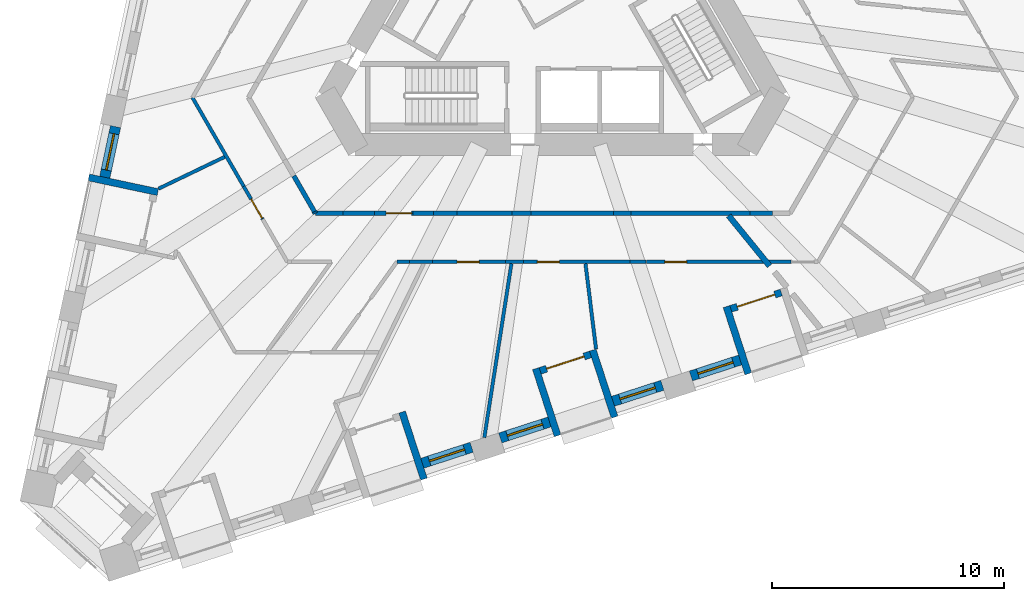
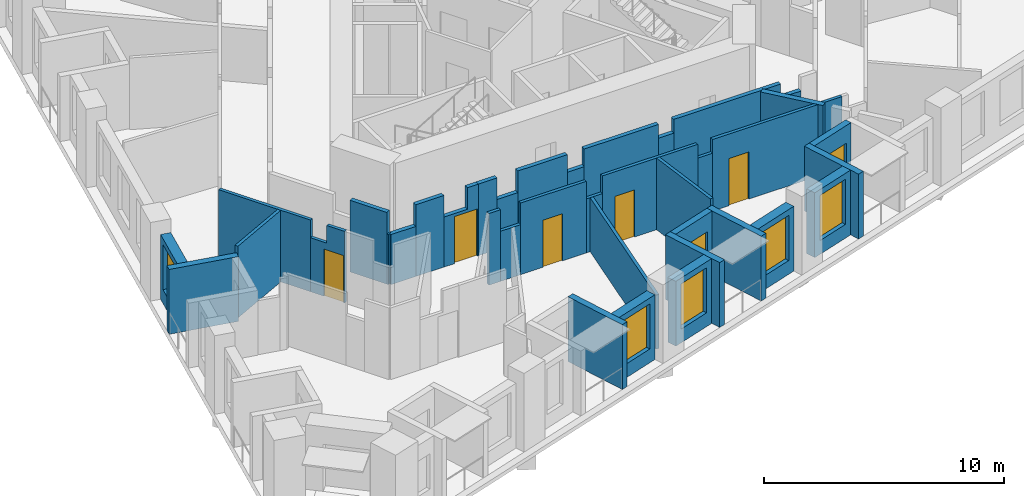
# One storey, part 3 of 13: 38 walls, 7 doors, 5 windows, 12 openings.
"""IFC4 building model written with IfcOpenShell, lengths in metres."""

from ifc_helpers import new_model, si_unit, direction, frame, frame_2d, origin, place, context, subcontext, project, spatial, polyline, rectangle, outline, extrude, material, layer, layer_set, type_object, element, fill, save


model = new_model("IFC4")

# Units and contexts
model_context = context("Model", 3, precision=1e-05, world=origin(), true_north=direction((0.0, 1.0)))
body_context = subcontext(model_context, "Body", "Model", "MODEL_VIEW")
ifc_project = project(units=[si_unit("LENGTHUNIT", "METRE"), si_unit("AREAUNIT", "SQUARE_METRE"), si_unit("VOLUMEUNIT", "CUBIC_METRE"), si_unit("PLANEANGLEUNIT", "RADIAN"), si_unit("MASSUNIT", "GRAM", prefix="KILO")], contexts=[model_context])

# Site, building, storey
site_placement = place(None, origin())
site = spatial("IfcSite", under=ifc_project, at=site_placement, CompositionType="ELEMENT")
building_placement = place(site_placement, origin())
building = spatial("IfcBuilding", under=site, at=building_placement, Name="Tramontana Tower", CompositionType="ELEMENT")
storey_placement = place(building_placement, frame((0.0, 0.0, 116.39990234375)))
storey = spatial("IfcBuildingStorey", under=building, at=storey_placement, Name="L26", CompositionType="ELEMENT", Elevation=116.39990234375)

# Walls
ifc_material_1 = material(Name="Blockwork", Category="masonry")
ifc_layer_1 = layer(ifc_material_1, 0.199951171875)
ifc_layer_set_1 = layer_set([ifc_layer_1], Name="ENTRY WALL 200")
wall_type_1 = type_object("IfcWallType", Name="ENTRY WALL 200", PredefinedType="SOLIDWALL", material=ifc_layer_set_1)
wall_1_placement = place(storey_placement, frame((9.50439453125, -9.25, 0.0), z_axis=(0.0, 0.0, 1.0), x_axis=(-1.0, 0.0, 0.0)))
element("IfcWall", 1, at=wall_1_placement, inside=storey, type_object=wall_type_1, Name="Wall v22-ew2-1", PredefinedType="SOLIDWALL", context=body_context, shape_type="SweptSolid", body=[
    extrude(rectangle(XDim=0.9775390625, YDim=0.199951171875, at=frame_2d((0.48876953125, 0.0))), origin(), (0.0, 0.0, 1.0), 2.9501953125),
])
wall_2_placement = place(storey_placement, frame((8.52685546875, -9.25, 0.0), z_axis=(0.0, 0.0, 1.0), x_axis=(-1.0, 0.0, 0.0)))
element("IfcWall", 2, at=wall_2_placement, inside=storey, type_object=wall_type_1, Name="Wall v22-ew2-2", PredefinedType="SOLIDWALL", context=body_context, shape_type="SweptSolid", body=[
    extrude(rectangle(XDim=5.1533203125, YDim=0.199951171875, at=frame_2d((2.57666015625, 0.0))), origin(), (0.0, 0.0, 1.0), 3.650146484375),
])
wall_3_placement = place(storey_placement, frame((3.37353515625, -9.25, 0.0), z_axis=(0.0, 0.0, 1.0), x_axis=(-1.0, 0.0, 0.0)))
element("IfcWall", 3, at=wall_3_placement, inside=storey, type_object=wall_type_1, Name="Wall v22-ew2-3", PredefinedType="SOLIDWALL", context=body_context, shape_type="SweptSolid", body=[
    extrude(rectangle(XDim=0.736083984375, YDim=0.199951171875, at=frame_2d((0.3681640625, 0.0))), origin(), (0.0, 0.0, 1.0), 2.9501953125),
])
wall_4_placement = place(storey_placement, frame((2.637451171875, -9.25, 0.0), z_axis=(0.0, 0.0, 1.0), x_axis=(-1.0, 0.0, 0.0)))
element("IfcWall", 4, at=wall_4_placement, inside=storey, type_object=wall_type_1, Name="Wall v22-ew2-4", PredefinedType="SOLIDWALL", context=body_context, shape_type="SweptSolid", body=[
    extrude(rectangle(XDim=3.576904296875, YDim=0.199951171875, at=frame_2d((1.78857421875, 0.0))), origin(), (0.0, 0.0, 1.0), 3.650146484375),
])
wall_5_placement = place(storey_placement, frame((-0.939453125, -9.25, 0.0), z_axis=(0.0, 0.0, 1.0), x_axis=(-1.0, 0.0, 0.0)))
element("IfcWall", 5, at=wall_5_placement, inside=storey, type_object=wall_type_1, Name="Wall v22-ew2-5", PredefinedType="SOLIDWALL", context=body_context, shape_type="SweptSolid", body=[
    extrude(rectangle(XDim=0.808349609375, YDim=0.199951171875, at=frame_2d((0.404296875, 0.0))), origin(), (0.0, 0.0, 1.0), 2.75),
])
wall_6_placement = place(storey_placement, frame((-1.747802734375, -9.25, 0.0), z_axis=(0.0, 0.0, 1.0), x_axis=(-1.0, 0.0, 0.0)))
element("IfcWall", 6, at=wall_6_placement, inside=storey, type_object=wall_type_1, Name="Wall v22-ew2-6", PredefinedType="SOLIDWALL", context=body_context, shape_type="SweptSolid", body=[
    extrude(rectangle(XDim=2.385498046875, YDim=0.199951171875, at=frame_2d((1.19287109375, 0.0))), origin(), (0.0, 0.0, 1.0), 3.650146484375),
])
wall_7_placement = place(storey_placement, frame((-4.13330078125, -9.25, 0.0), z_axis=(0.0, 0.0, 1.0), x_axis=(-1.0, 0.0, 0.0)))
element("IfcWall", 7, at=wall_7_placement, inside=storey, type_object=wall_type_1, Name="Wall v22-ew2-7", PredefinedType="SOLIDWALL", context=body_context, shape_type="SweptSolid", body=[
    extrude(rectangle(XDim=1.0068359375, YDim=0.199951171875, at=frame_2d((0.50341796875, 0.0))), origin(), (0.0, 0.0, 1.0), 2.550048828125),
])
wall_8_placement = place(storey_placement, frame((-5.14013671875, -9.25, 0.0), z_axis=(0.0, 0.0, 1.0), x_axis=(-1.0, 0.0, 0.0)))
element("IfcWall", 8, at=wall_8_placement, inside=storey, type_object=wall_type_1, Name="Wall v22-ew2-8", PredefinedType="SOLIDWALL", context=body_context, shape_type="SweptSolid", body=[
    extrude(rectangle(XDim=0.89990234375, YDim=0.199951171875, at=frame_2d((0.449951171875, 0.0))), origin(), (0.0, 0.0, 1.0), 3.650146484375),
])

# Wall, opening, door
wall_9_placement = place(storey_placement, frame((-7.695556640625, -9.25, 0.0), z_axis=(0.0, 0.0, 1.0), x_axis=(1.0, 0.0, 0.0)))
wall_9 = element("IfcWall", 9, at=wall_9_placement, inside=storey, type_object=wall_type_1, Name="Wall v22-ew2-9", PredefinedType="SOLIDWALL", context=body_context, shape_type="SweptSolid", body=[
    extrude(outline(polyline([(0.0, 0.0), (1.655517578125, 0.0), (1.655517578125, 3.650146484375), (1.13623046875, 3.650146484375), (1.13623046875, 2.550048828125), (0.0, 2.550048828125), (0.0, 0.0)])), frame((0.0, 0.10009765625, 0.0), z_axis=(0.0, -1.0, 0.0), x_axis=(1.0, 0.0, 0.0)), (0.0, 0.0, 1.0), 0.199951171875),
])
opening_1_placement = place(wall_9_placement, frame((0.50537109375, 0.0, 0.0)))
opening_1 = element("IfcOpeningElement", 10, at=opening_1_placement, cuts=wall_9, Name="Opening B2C-23", PredefinedType="OPENING", context=body_context, shape_type="SweptSolid", body=[
    extrude(rectangle(XDim=1.10009765625, YDim=2.39990234375, at=frame_2d((0.550048828125, 1.199951171875))), frame((0.0, 0.10986328125, 0.0), z_axis=(0.0, -1.0, 0.0), x_axis=(1.0, 0.0, 0.0)), (0.0, 0.0, 1.0), 0.219970703125),
])
ifc_material_2 = material(Name="Painted timber", Category="wood")
door_type_1 = type_object("IfcDoorType", Name="DOOR ENTRY 1100", OperationType="SINGLE_SWING_LEFT", PredefinedType="DOOR", material=ifc_material_2)
door_1_placement = place(opening_1_placement, origin())
door_1 = element("IfcDoor", 11, at=door_1_placement, inside=storey, type_object=door_type_1, Name="Door B2C-23", OperationType="SINGLE_SWING_LEFT", OverallHeight=2.39990234375, OverallWidth=1.10009765625, PredefinedType="DOOR", context=body_context, shape_type="SweptSolid", body=[
    extrude(rectangle(XDim=1.10009765625, YDim=2.39990234375, at=frame_2d((0.550048828125, 1.199951171875))), frame((0.0, 0.02490234375, 0.0), z_axis=(0.0, -1.0, 0.0), x_axis=(1.0, 0.0, 0.0)), (0.0, 0.0, 1.0), 0.050048828125),
])
fill(opening_1, door_1)

# Walls
wall_10_placement = place(storey_placement, frame((-7.695556640625, -9.25, 0.0), z_axis=(0.0, 0.0, 1.0), x_axis=(-1.0, 0.0, 0.0)))
element("IfcWall", 12, at=wall_10_placement, inside=storey, type_object=wall_type_1, Name="Wall v22-ew2-10", PredefinedType="SOLIDWALL", context=body_context, shape_type="SweptSolid", body=[
    extrude(rectangle(XDim=1.3603515625, YDim=0.199951171875, at=frame_2d((0.68017578125, 0.0))), origin(), (0.0, 0.0, 1.0), 3.650146484375),
])
wall_11_placement = place(storey_placement, frame((-9.055908203125, -9.25, 0.0), z_axis=(0.0, 0.0, 1.0), x_axis=(-1.0, 0.0, 0.0)))
element("IfcWall", 13, at=wall_11_placement, inside=storey, type_object=wall_type_1, Name="Wall v22-ew2-11", PredefinedType="SOLIDWALL", context=body_context, shape_type="SweptSolid", body=[
    extrude(rectangle(XDim=1.192138671875, YDim=0.199951171875, at=frame_2d((0.59619140625, 0.0))), origin(), (0.0, 0.0, 1.0), 2.550048828125),
])
wall_12_placement = place(storey_placement, frame((-10.248046875, -9.25, 0.0), z_axis=(0.0, 0.0, 1.0), x_axis=(-0.499103811596, 0.866542200502, 0.0)))
element("IfcWall", 14, at=wall_12_placement, inside=storey, type_object=wall_type_1, Name="Wall v22-ew3-0", PredefinedType="SOLIDWALL", context=body_context, shape_type="SweptSolid", body=[
    extrude(rectangle(XDim=0.079833984375, YDim=0.199951171875, at=frame_2d((0.0400390625, 0.0))), origin(), (0.0, 0.0, 1.0), 2.550048828125),
])
wall_13_placement = place(storey_placement, frame((-10.287841796875, -9.180908203125, 0.0), z_axis=(0.0, 0.0, 1.0), x_axis=(-0.499986405537, 0.866033252409, 0.0)))
element("IfcWall", 15, at=wall_13_placement, inside=storey, type_object=wall_type_1, Name="Wall v22-ew3-1", PredefinedType="SOLIDWALL", context=body_context, shape_type="SweptSolid", body=[
    extrude(rectangle(XDim=1.7880859375, YDim=0.199951171875, at=frame_2d((0.89404296875, 0.0))), origin(), (0.0, 0.0, 1.0), 3.650146484375),
])

# Wall, opening, window
ifc_material_3 = material(Name="Precast concrete 60 MPa", Category="concrete")
ifc_layer_2 = layer(ifc_material_3, 0.449951171875)
ifc_layer_set_2 = layer_set([ifc_layer_2], Name="Precast concrete 60 MPa, 450 mm")
wall_type_2 = type_object("IfcWallType", Name="EW1 Stone-faced precast wall 450", PredefinedType="SOLIDWALL", material=ifc_layer_set_2)
wall_14_placement = place(storey_placement, frame((-18.882080078125, -5.504638671875, 0.0), z_axis=(0.0, 0.0, 1.0), x_axis=(-0.207918801611, -0.978146089261, 0.0)))
wall_14 = element("IfcWall", 16, at=wall_14_placement, inside=storey, type_object=wall_type_2, Name="External wall L26 face 0 bay 5", PredefinedType="SOLIDWALL", context=body_context, shape_type="SweptSolid", body=[
    extrude(rectangle(XDim=2.23681640625, YDim=0.449951171875, at=frame_2d((1.118408203125, 0.0))), origin(), (0.0, 0.0, 1.0), 3.300048828125),
])
opening_2_placement = place(wall_14_placement, frame((0.318359375, 0.0, 0.699951171875)))
opening_2 = element("IfcOpeningElement", 17, at=opening_2_placement, cuts=wall_14, Name="Opening M1", PredefinedType="OPENING", context=body_context, shape_type="SweptSolid", body=[
    extrude(rectangle(XDim=1.60009765625, YDim=2.300048828125, at=frame_2d((0.800048828125, 1.14990234375))), frame((0.0, 0.23486328125, 0.0), z_axis=(0.0, -1.0, 0.0), x_axis=(1.0, 0.0, 0.0)), (0.0, 0.0, 1.0), 0.469970703125),
])
ifc_material_4 = material(Name="Aluminum frame, double glazing unit", Category="aluminium")
window_type = type_object("IfcWindowType", Name="M1 Window 1.6 x 2.3", PartitioningType="SINGLE_PANEL", PredefinedType="WINDOW", material=ifc_material_4)
window_1_placement = place(opening_2_placement, origin())
window_1 = element("IfcWindow", 18, at=window_1_placement, inside=storey, type_object=window_type, Name="Window M1 L26 face 0 module 13", OverallHeight=2.300048828125, OverallWidth=1.60009765625, PartitioningType="SINGLE_PANEL", PredefinedType="WINDOW", context=body_context, shape_type="SweptSolid", body=[
    extrude(rectangle(XDim=1.60009765625, YDim=2.300048828125, at=frame_2d((0.800048828125, 1.14990234375))), frame((0.0, 0.030029296875, 0.0), z_axis=(0.0, -1.0, 0.0), x_axis=(1.0, 0.0, 0.0)), (0.0, 0.0, 1.0), 0.06005859375),
])
fill(opening_2, window_1)

wall_15_placement = place(storey_placement, frame((-5.628173828125, -20.045166015625, 0.0), z_axis=(0.0, 0.0, 1.0), x_axis=(0.951057328329, 0.30901449518, 0.0)))
wall_15 = element("IfcWall", 19, at=wall_15_placement, inside=storey, type_object=wall_type_2, Name="External wall L26 face 1 bay 2", PredefinedType="SOLIDWALL", context=body_context, shape_type="SweptSolid", body=[
    extrude(rectangle(XDim=2.236572265625, YDim=0.449951171875, at=frame_2d((1.1181640625, 0.0))), origin(), (0.0, 0.0, 1.0), 3.300048828125),
])
opening_3_placement = place(wall_15_placement, frame((0.318359375, 0.0, 0.699951171875)))
opening_3 = element("IfcOpeningElement", 20, at=opening_3_placement, cuts=wall_15, Name="Opening M1", PredefinedType="OPENING", context=body_context, shape_type="SweptSolid", body=[
    extrude(rectangle(XDim=1.60009765625, YDim=2.300048828125, at=frame_2d((0.800048828125, 1.14990234375))), frame((0.0, 0.23486328125, 0.0), z_axis=(0.0, -1.0, 0.0), x_axis=(1.0, 0.0, 0.0)), (0.0, 0.0, 1.0), 0.469970703125),
])
window_2_placement = place(opening_3_placement, origin())
window_2 = element("IfcWindow", 21, at=window_2_placement, inside=storey, type_object=window_type, Name="Window M1 L26 face 1 module 6", OverallHeight=2.300048828125, OverallWidth=1.60009765625, PartitioningType="SINGLE_PANEL", PredefinedType="WINDOW", context=body_context, shape_type="SweptSolid", body=[
    extrude(rectangle(XDim=1.60009765625, YDim=2.300048828125, at=frame_2d((0.800048828125, 1.14990234375))), frame((0.0, 0.030029296875, 0.0), z_axis=(0.0, -1.0, 0.0), x_axis=(1.0, 0.0, 0.0)), (0.0, 0.0, 1.0), 0.06005859375),
])
fill(opening_3, window_2)

wall_16_placement = place(storey_placement, frame((-2.264404296875, -18.952392578125, 0.0), z_axis=(0.0, 0.0, 1.0), x_axis=(0.951057328329, 0.30901449518, 0.0)))
wall_16 = element("IfcWall", 22, at=wall_16_placement, inside=storey, type_object=wall_type_2, Name="External wall L26 face 1 bay 3", PredefinedType="SOLIDWALL", context=body_context, shape_type="SweptSolid", body=[
    extrude(rectangle(XDim=2.236572265625, YDim=0.449951171875, at=frame_2d((1.1181640625, 0.0))), origin(), (0.0, 0.0, 1.0), 3.300048828125),
])
opening_4_placement = place(wall_16_placement, frame((0.318359375, 0.0, 0.699951171875)))
opening_4 = element("IfcOpeningElement", 23, at=opening_4_placement, cuts=wall_16, Name="Opening M1", PredefinedType="OPENING", context=body_context, shape_type="SweptSolid", body=[
    extrude(rectangle(XDim=1.60009765625, YDim=2.300048828125, at=frame_2d((0.800048828125, 1.14990234375))), frame((0.0, 0.23486328125, 0.0), z_axis=(0.0, -1.0, 0.0), x_axis=(1.0, 0.0, 0.0)), (0.0, 0.0, 1.0), 0.469970703125),
])
window_3_placement = place(opening_4_placement, origin())
window_3 = element("IfcWindow", 24, at=window_3_placement, inside=storey, type_object=window_type, Name="Window M1 L26 face 1 module 7", OverallHeight=2.300048828125, OverallWidth=1.60009765625, PartitioningType="SINGLE_PANEL", PredefinedType="WINDOW", context=body_context, shape_type="SweptSolid", body=[
    extrude(rectangle(XDim=1.60009765625, YDim=2.300048828125, at=frame_2d((0.800048828125, 1.14990234375))), frame((0.0, 0.030029296875, 0.0), z_axis=(0.0, -1.0, 0.0), x_axis=(1.0, 0.0, 0.0)), (0.0, 0.0, 1.0), 0.06005859375),
])
fill(opening_4, window_3)

wall_17_placement = place(storey_placement, frame((2.608154296875, -17.369140625, 0.0), z_axis=(0.0, 0.0, 1.0), x_axis=(0.951067749801, 0.30898241906, 0.0)))
wall_17 = element("IfcWall", 25, at=wall_17_placement, inside=storey, type_object=wall_type_2, Name="External wall L26 face 1 bay 3", PredefinedType="SOLIDWALL", context=body_context, shape_type="SweptSolid", body=[
    extrude(rectangle(XDim=2.23681640625, YDim=0.449951171875, at=frame_2d((1.118408203125, 0.0))), origin(), (0.0, 0.0, 1.0), 3.300048828125),
])
opening_5_placement = place(wall_17_placement, frame((0.318359375, 0.0, 0.699951171875)))
opening_5 = element("IfcOpeningElement", 26, at=opening_5_placement, cuts=wall_17, Name="Opening M1", PredefinedType="OPENING", context=body_context, shape_type="SweptSolid", body=[
    extrude(rectangle(XDim=1.60009765625, YDim=2.300048828125, at=frame_2d((0.800048828125, 1.14990234375))), frame((0.0, 0.23486328125, 0.0), z_axis=(0.0, -1.0, 0.0), x_axis=(1.0, 0.0, 0.0)), (0.0, 0.0, 1.0), 0.469970703125),
])
window_4_placement = place(opening_5_placement, origin())
window_4 = element("IfcWindow", 27, at=window_4_placement, inside=storey, type_object=window_type, Name="Window M1 L26 face 1 module 9", OverallHeight=2.300048828125, OverallWidth=1.60009765625, PartitioningType="SINGLE_PANEL", PredefinedType="WINDOW", context=body_context, shape_type="SweptSolid", body=[
    extrude(rectangle(XDim=1.60009765625, YDim=2.300048828125, at=frame_2d((0.800048828125, 1.14990234375))), frame((0.0, 0.030029296875, 0.0), z_axis=(0.0, -1.0, 0.0), x_axis=(1.0, 0.0, 0.0)), (0.0, 0.0, 1.0), 0.06005859375),
])
fill(opening_5, window_4)

wall_18_placement = place(storey_placement, frame((5.971923828125, -16.276123046875, 0.0), z_axis=(0.0, 0.0, 1.0), x_axis=(0.951057328329, 0.30901449518, 0.0)))
wall_18 = element("IfcWall", 28, at=wall_18_placement, inside=storey, type_object=wall_type_2, Name="External wall L26 face 1 bay 4", PredefinedType="SOLIDWALL", context=body_context, shape_type="SweptSolid", body=[
    extrude(rectangle(XDim=2.236572265625, YDim=0.449951171875, at=frame_2d((1.1181640625, 0.0))), origin(), (0.0, 0.0, 1.0), 3.300048828125),
])
opening_6_placement = place(wall_18_placement, frame((0.318359375, 0.0, 0.699951171875)))
opening_6 = element("IfcOpeningElement", 29, at=opening_6_placement, cuts=wall_18, Name="Opening M1", PredefinedType="OPENING", context=body_context, shape_type="SweptSolid", body=[
    extrude(rectangle(XDim=1.60009765625, YDim=2.300048828125, at=frame_2d((0.800048828125, 1.14990234375))), frame((0.0, 0.23486328125, 0.0), z_axis=(0.0, -1.0, 0.0), x_axis=(1.0, 0.0, 0.0)), (0.0, 0.0, 1.0), 0.469970703125),
])
window_5_placement = place(opening_6_placement, origin())
window_5 = element("IfcWindow", 30, at=window_5_placement, inside=storey, type_object=window_type, Name="Window M1 L26 face 1 module 10", OverallHeight=2.300048828125, OverallWidth=1.60009765625, PartitioningType="SINGLE_PANEL", PredefinedType="WINDOW", context=body_context, shape_type="SweptSolid", body=[
    extrude(rectangle(XDim=1.60009765625, YDim=2.300048828125, at=frame_2d((0.800048828125, 1.14990234375))), frame((0.0, 0.030029296875, 0.0), z_axis=(0.0, -1.0, 0.0), x_axis=(1.0, 0.0, 0.0)), (0.0, 0.0, 1.0), 0.06005859375),
])
fill(opening_6, window_5)

# Walls
ifc_material_5 = material(Name="Precast concrete 60 MPa", Category="concrete")
ifc_layer_3 = layer(ifc_material_5, 0.300048828125)
ifc_layer_set_3 = layer_set([ifc_layer_3], Name="LW1 Stone-faced loggia wall 300")
wall_type_3 = type_object("IfcWallType", Name="LW1 Stone-faced loggia wall 300", PredefinedType="SOLIDWALL", material=ifc_layer_set_3)
for number, where, z_axis, x_axis, name in (
    (31, (-20.03857421875, -7.698974609375, 0.0), (0.0, 0.0, 1.0), (0.978154782045, -0.207877902534, 0.0), "Loggia return L26 G2S0.13a"),
    (32, (-5.562255859375, -20.733642578125, 0.0), (0.0, 0.0, 1.0), (-0.308966615996, 0.951072883748, 0.0), "Loggia return L26 G2S1.4b"),
):
    element("IfcWall", number, at=place(storey_placement, frame(where, z_axis=z_axis, x_axis=x_axis)), inside=storey, type_object=wall_type_3, Name=name, PredefinedType="SOLIDWALL", context=body_context, shape_type="SweptSolid", body=[
        extrude(rectangle(XDim=3.050048828125, YDim=0.300048828125, at=frame_2d((1.52490234375, 0.0))), origin(), (0.0, 0.0, 1.0), 3.300048828125),
    ])

# Wall, opening, door
wall_19_placement = place(storey_placement, frame((-0.53955078125, -16.05224609375, 0.0), z_axis=(0.0, 0.0, 1.0), x_axis=(0.951078776318, 0.308948476671, 0.0)))
wall_19 = element("IfcWall", 33, at=wall_19_placement, inside=storey, type_object=wall_type_3, Name="Loggia wall L26 G2S1.7", PredefinedType="SOLIDWALL", context=body_context, shape_type="SweptSolid", body=[
    extrude(rectangle(XDim=2.286865234375, YDim=0.300048828125, at=frame_2d((1.1435546875, 0.0))), origin(), (0.0, 0.0, 1.0), 3.300048828125),
])
opening_7_placement = place(wall_19_placement, frame((0.29345703125, 0.0, 0.0)))
opening_7 = element("IfcOpeningElement", 34, at=opening_7_placement, cuts=wall_19, Name="Opening BD-2S1-07", PredefinedType="OPENING", context=body_context, shape_type="SweptSolid", body=[
    extrude(rectangle(XDim=1.699951171875, YDim=2.39990234375, at=frame_2d((0.85009765625, 1.199951171875))), frame((0.0, 0.159912109375, 0.0), z_axis=(0.0, -1.0, 0.0), x_axis=(1.0, 0.0, 0.0)), (0.0, 0.0, 1.0), 0.320068359375),
])
ifc_material_6 = material(Name="Aluminum frame, double glazing unit", Category="aluminium")
door_type_2 = type_object("IfcDoorType", Name="BD1 Sliding door 1.7 x 2.4", OperationType="SLIDING_TO_LEFT", PredefinedType="DOOR", material=ifc_material_6)
door_2_placement = place(opening_7_placement, origin())
door_2 = element("IfcDoor", 35, at=door_2_placement, inside=storey, type_object=door_type_2, Name="Loggia door L26 G2S1.7", OperationType="SLIDING_TO_LEFT", OverallHeight=2.39990234375, OverallWidth=1.699951171875, PredefinedType="DOOR", context=body_context, shape_type="SweptSolid", body=[
    extrude(rectangle(XDim=1.699951171875, YDim=2.39990234375, at=frame_2d((0.85009765625, 1.199951171875))), frame((0.0, 0.02490234375, 0.0), z_axis=(0.0, -1.0, 0.0), x_axis=(1.0, 0.0, 0.0)), (0.0, 0.0, 1.0), 0.050048828125),
])
fill(opening_7, door_2)

# Walls
wall_20_placement = place(storey_placement, frame((0.214111328125, -18.856689453125, 0.0), z_axis=(0.0, 0.0, 1.0), x_axis=(-0.309062542235, 0.951041715693, 0.0)))
element("IfcWall", 36, at=wall_20_placement, inside=storey, type_object=wall_type_3, Name="Loggia return L26 G2S1.7a", PredefinedType="SOLIDWALL", context=body_context, shape_type="SweptSolid", body=[
    extrude(rectangle(XDim=3.050048828125, YDim=0.300048828125, at=frame_2d((1.52490234375, 0.0))), origin(), (0.0, 0.0, 1.0), 3.300048828125),
])
wall_21_placement = place(storey_placement, frame((2.674072265625, -18.057373046875, 0.0), z_axis=(0.0, 0.0, 1.0), x_axis=(-0.308990138358, 0.951065241925, 0.0)))
element("IfcWall", 37, at=wall_21_placement, inside=storey, type_object=wall_type_3, Name="Loggia return L26 G2S1.7b", PredefinedType="SOLIDWALL", context=body_context, shape_type="SweptSolid", body=[
    extrude(rectangle(XDim=3.0498046875, YDim=0.300048828125, at=frame_2d((1.52490234375, 0.0))), origin(), (0.0, 0.0, 1.0), 3.300048828125),
])

# Wall, opening, door
wall_22_placement = place(storey_placement, frame((7.697021484375, -13.376220703125, 0.0), z_axis=(0.0, 0.0, 1.0), x_axis=(0.95103720697, 0.309076416051, 0.0)))
wall_22 = element("IfcWall", 38, at=wall_22_placement, inside=storey, type_object=wall_type_3, Name="Loggia wall L26 G2S1.10", PredefinedType="SOLIDWALL", context=body_context, shape_type="SweptSolid", body=[
    extrude(rectangle(XDim=2.286865234375, YDim=0.300048828125, at=frame_2d((1.1435546875, 0.0))), origin(), (0.0, 0.0, 1.0), 3.300048828125),
])
opening_8_placement = place(wall_22_placement, frame((0.29345703125, 0.0, 0.0)))
opening_8 = element("IfcOpeningElement", 39, at=opening_8_placement, cuts=wall_22, Name="Opening BD-2S1-10", PredefinedType="OPENING", context=body_context, shape_type="SweptSolid", body=[
    extrude(rectangle(XDim=1.699951171875, YDim=2.39990234375, at=frame_2d((0.85009765625, 1.199951171875))), frame((0.0, 0.159912109375, 0.0), z_axis=(0.0, -1.0, 0.0), x_axis=(1.0, 0.0, 0.0)), (0.0, 0.0, 1.0), 0.320068359375),
])
door_3_placement = place(opening_8_placement, origin())
door_3 = element("IfcDoor", 40, at=door_3_placement, inside=storey, type_object=door_type_2, Name="Loggia door L26 G2S1.10", OperationType="SLIDING_TO_LEFT", OverallHeight=2.39990234375, OverallWidth=1.699951171875, PredefinedType="DOOR", context=body_context, shape_type="SweptSolid", body=[
    extrude(rectangle(XDim=1.699951171875, YDim=2.39990234375, at=frame_2d((0.85009765625, 1.199951171875))), frame((0.0, 0.02490234375, 0.0), z_axis=(0.0, -1.0, 0.0), x_axis=(1.0, 0.0, 0.0)), (0.0, 0.0, 1.0), 0.050048828125),
])
fill(opening_8, door_3)

# Walls
wall_23_placement = place(storey_placement, frame((8.450439453125, -16.1806640625, 0.0), z_axis=(0.0, 0.0, 1.0), x_axis=(-0.309039015525, 0.951049360908, 0.0)))
element("IfcWall", 41, at=wall_23_placement, inside=storey, type_object=wall_type_3, Name="Loggia return L26 G2S1.10a", PredefinedType="SOLIDWALL", context=body_context, shape_type="SweptSolid", body=[
    extrude(rectangle(XDim=3.05029296875, YDim=0.300048828125, at=frame_2d((1.525146484375, 0.0))), origin(), (0.0, 0.0, 1.0), 3.300048828125),
])
ifc_material_7 = material(Name="Gypsum board partition")
ifc_layer_4 = layer(ifc_material_7, 0.14990234375)
ifc_layer_set_4 = layer_set([ifc_layer_4], Name="PARTITION 150")
wall_type_4 = type_object("IfcWallType", Name="PARTITION 150", PredefinedType="PARTITIONING", material=ifc_layer_set_4)
wall_24_placement = place(storey_placement, frame((-17.02392578125, -8.186279296875, 0.0), z_axis=(0.0, 0.0, 1.0), x_axis=(0.901235652602, 0.433329318738, 0.0)))
element("IfcWall", 42, at=wall_24_placement, inside=storey, type_object=wall_type_4, Name="Wall v22-pw01", PredefinedType="PARTITIONING", context=body_context, shape_type="SweptSolid", body=[
    extrude(rectangle(XDim=3.17041015625, YDim=0.14990234375, at=frame_2d((1.585205078125, 0.0))), origin(), (0.0, 0.0, 1.0), 3.650146484375),
])

# Wall, opening, door
wall_25_placement = place(storey_placement, frame((-12.52783203125, -9.5009765625, 0.0), z_axis=(0.0, 0.0, 1.0), x_axis=(-0.500083826171, 0.865977001312, 0.0)))
wall_25 = element("IfcWall", 43, at=wall_25_placement, inside=storey, type_object=wall_type_4, Name="Wall v22-pw09-2", PredefinedType="PARTITIONING", context=body_context, shape_type="SweptSolid", body=[
    extrude(outline(polyline([(0.0, 0.0), (1.637451171875, 0.0), (1.637451171875, 2.75), (0.861572265625, 2.75), (0.861572265625, 3.650146484375), (0.0, 3.650146484375), (0.0, 0.0)])), frame((0.0, 0.074951171875, 0.0), z_axis=(0.0, -1.0, 0.0), x_axis=(1.0, 0.0, 0.0)), (0.0, 0.0, 1.0), 0.14990234375),
])
opening_9_placement = place(wall_25_placement, frame((0.050048828125, 0.0, 0.0)))
opening_9 = element("IfcOpeningElement", 44, at=opening_9_placement, cuts=wall_25, Name="Opening B2C-06", PredefinedType="OPENING", context=body_context, shape_type="SweptSolid", body=[
    extrude(rectangle(XDim=0.949951171875, YDim=2.39990234375, at=frame_2d((0.47509765625, 1.199951171875))), frame((0.0, 0.0849609375, 0.0), z_axis=(0.0, -1.0, 0.0), x_axis=(1.0, 0.0, 0.0)), (0.0, 0.0, 1.0), 0.169921875),
])
ifc_material_8 = material(Name="Painted timber", Category="wood")
door_type_3 = type_object("IfcDoorType", Name="DOOR ROOM 950", OperationType="SINGLE_SWING_LEFT", PredefinedType="DOOR", material=ifc_material_8)
door_4_placement = place(opening_9_placement, origin())
door_4 = element("IfcDoor", 45, at=door_4_placement, inside=storey, type_object=door_type_3, Name="Door B2C-06", OperationType="SINGLE_SWING_RIGHT", OverallHeight=2.39990234375, OverallWidth=0.949951171875, PredefinedType="DOOR", context=body_context, shape_type="SweptSolid", body=[
    extrude(rectangle(XDim=0.949951171875, YDim=2.39990234375, at=frame_2d((0.47509765625, 1.199951171875))), frame((0.0, 0.02490234375, 0.0), z_axis=(0.0, -1.0, 0.0), x_axis=(1.0, 0.0, 0.0)), (0.0, 0.0, 1.0), 0.050048828125),
])
fill(opening_9, door_4)

# Walls
wall_26_placement = place(storey_placement, frame((-13.3466796875, -8.0830078125, 0.0), z_axis=(0.0, 0.0, 1.0), x_axis=(-0.499983483481, 0.866034939391, 0.0)))
element("IfcWall", 46, at=wall_26_placement, inside=storey, type_object=wall_type_4, Name="Wall v22-pw09-3", PredefinedType="PARTITIONING", context=body_context, shape_type="SweptSolid", body=[
    extrude(rectangle(XDim=4.426025390625, YDim=0.14990234375, at=frame_2d((2.212890625, 0.0))), origin(), (0.0, 0.0, 1.0), 3.650146484375),
])
wall_27_placement = place(storey_placement, frame((-1.781005859375, -11.425048828125, 0.0), z_axis=(0.0, 0.0, 1.0), x_axis=(-0.153998853513, -0.988071026352, 0.0)))
element("IfcWall", 47, at=wall_27_placement, inside=storey, type_object=wall_type_4, Name="Wall v22-pw25-0", PredefinedType="PARTITIONING", context=body_context, shape_type="SweptSolid", body=[
    extrude(rectangle(XDim=7.60498046875, YDim=0.14990234375, at=frame_2d((3.802490234375, 0.0))), origin(), (0.0, 0.0, 1.0), 2.75),
])
wall_28_placement = place(storey_placement, frame((1.417236328125, -11.425048828125, 0.0), z_axis=(0.0, 0.0, 1.0), x_axis=(0.123071787127, -0.992397770661, 0.0)))
element("IfcWall", 48, at=wall_28_placement, inside=storey, type_object=wall_type_4, Name="Wall v22-pw28", PredefinedType="PARTITIONING", context=body_context, shape_type="SweptSolid", body=[
    extrude(rectangle(XDim=3.713623046875, YDim=0.14990234375, at=frame_2d((1.85693359375, 0.0))), origin(), (0.0, 0.0, 1.0), 3.650146484375),
])

# Wall, opening, door
wall_29_placement = place(storey_placement, frame((10.290283203125, -11.35009765625, 0.0), z_axis=(0.0, 0.0, 1.0), x_axis=(-1.0, 0.0, 0.0)))
wall_29 = element("IfcWall", 49, at=wall_29_placement, inside=storey, type_object=wall_type_4, Name="Wall v22-pw35-1", PredefinedType="PARTITIONING", context=body_context, shape_type="SweptSolid", body=[
    extrude(rectangle(XDim=6.24755859375, YDim=0.14990234375, at=frame_2d((3.123779296875, 0.0))), origin(), (0.0, 0.0, 1.0), 3.650146484375),
])
opening_10_placement = place(wall_29_placement, frame((4.498291015625, 0.0, 0.0)))
opening_10 = element("IfcOpeningElement", 50, at=opening_10_placement, cuts=wall_29, Name="Opening B2C-14", PredefinedType="OPENING", context=body_context, shape_type="SweptSolid", body=[
    extrude(rectangle(XDim=0.949951171875, YDim=2.39990234375, at=frame_2d((0.47509765625, 1.199951171875))), frame((0.0, 0.0849609375, 0.0), z_axis=(0.0, -1.0, 0.0), x_axis=(1.0, 0.0, 0.0)), (0.0, 0.0, 1.0), 0.169921875),
])
door_5_placement = place(opening_10_placement, origin())
door_5 = element("IfcDoor", 51, at=door_5_placement, inside=storey, type_object=door_type_3, Name="Door B2C-14", OperationType="SINGLE_SWING_RIGHT", OverallHeight=2.39990234375, OverallWidth=0.949951171875, PredefinedType="DOOR", context=body_context, shape_type="SweptSolid", body=[
    extrude(rectangle(XDim=0.949951171875, YDim=2.39990234375, at=frame_2d((0.47509765625, 1.199951171875))), frame((0.0, 0.02490234375, 0.0), z_axis=(0.0, -1.0, 0.0), x_axis=(1.0, 0.0, 0.0)), (0.0, 0.0, 1.0), 0.050048828125),
])
fill(opening_10, door_5)

# Wall
wall_30_placement = place(storey_placement, frame((4.042724609375, -11.35009765625, 0.0), z_axis=(0.0, 0.0, 1.0), x_axis=(-1.0, 0.0, 0.0)))
element("IfcWall", 52, at=wall_30_placement, inside=storey, type_object=wall_type_4, Name="Wall v22-pw35-2", PredefinedType="PARTITIONING", context=body_context, shape_type="SweptSolid", body=[
    extrude(rectangle(XDim=0.709716796875, YDim=0.14990234375, at=frame_2d((0.35498046875, 0.0))), origin(), (0.0, 0.0, 1.0), 2.9501953125),
])

# Wall, opening, door
wall_31_placement = place(storey_placement, frame((3.3330078125, -11.35009765625, 0.0), z_axis=(0.0, 0.0, 1.0), x_axis=(-1.0, 0.0, 0.0)))
wall_31 = element("IfcWall", 53, at=wall_31_placement, inside=storey, type_object=wall_type_4, Name="Wall v22-pw35-3", PredefinedType="PARTITIONING", context=body_context, shape_type="SweptSolid", body=[
    extrude(rectangle(XDim=4.590087890625, YDim=0.14990234375, at=frame_2d((2.294921875, 0.0))), origin(), (0.0, 0.0, 1.0), 3.650146484375),
])
opening_11_placement = place(wall_31_placement, frame((3.03857421875, 0.0, 0.0)))
opening_11 = element("IfcOpeningElement", 54, at=opening_11_placement, cuts=wall_31, Name="Opening B2C-13", PredefinedType="OPENING", context=body_context, shape_type="SweptSolid", body=[
    extrude(rectangle(XDim=0.949951171875, YDim=2.39990234375, at=frame_2d((0.47509765625, 1.199951171875))), frame((0.0, 0.0849609375, 0.0), z_axis=(0.0, -1.0, 0.0), x_axis=(1.0, 0.0, 0.0)), (0.0, 0.0, 1.0), 0.169921875),
])
door_6_placement = place(opening_11_placement, origin())
door_6 = element("IfcDoor", 55, at=door_6_placement, inside=storey, type_object=door_type_3, Name="Door B2C-13", OperationType="SINGLE_SWING_LEFT", OverallHeight=2.39990234375, OverallWidth=0.949951171875, PredefinedType="DOOR", context=body_context, shape_type="SweptSolid", body=[
    extrude(rectangle(XDim=0.949951171875, YDim=2.39990234375, at=frame_2d((0.47509765625, 1.199951171875))), frame((0.0, 0.02490234375, 0.0), z_axis=(0.0, -1.0, 0.0), x_axis=(1.0, 0.0, 0.0)), (0.0, 0.0, 1.0), 0.050048828125),
])
fill(opening_11, door_6)

# Wall
wall_32_placement = place(storey_placement, frame((-1.257080078125, -11.35009765625, 0.0), z_axis=(0.0, 0.0, 1.0), x_axis=(-1.0, 0.0, 0.0)))
element("IfcWall", 56, at=wall_32_placement, inside=storey, type_object=wall_type_4, Name="Wall v22-pw35-4", PredefinedType="PARTITIONING", context=body_context, shape_type="SweptSolid", body=[
    extrude(rectangle(XDim=0.783203125, YDim=0.14990234375, at=frame_2d((0.3916015625, 0.0))), origin(), (0.0, 0.0, 1.0), 2.75),
])

# Wall, opening, door
wall_33_placement = place(storey_placement, frame((-2.040283203125, -11.35009765625, 0.0), z_axis=(0.0, 0.0, 1.0), x_axis=(-1.0, 0.0, 0.0)))
wall_33 = element("IfcWall", 57, at=wall_33_placement, inside=storey, type_object=wall_type_4, Name="Wall v22-pw35-5", PredefinedType="PARTITIONING", context=body_context, shape_type="SweptSolid", body=[
    extrude(rectangle(XDim=3.15966796875, YDim=0.14990234375, at=frame_2d((1.579833984375, 0.0))), origin(), (0.0, 0.0, 1.0), 3.650146484375),
])
opening_12_placement = place(wall_33_placement, frame((1.13671875, 0.0, 0.0)))
opening_12 = element("IfcOpeningElement", 58, at=opening_12_placement, cuts=wall_33, Name="Opening B2C-12", PredefinedType="OPENING", context=body_context, shape_type="SweptSolid", body=[
    extrude(rectangle(XDim=0.949951171875, YDim=2.39990234375, at=frame_2d((0.47509765625, 1.199951171875))), frame((0.0, 0.0849609375, 0.0), z_axis=(0.0, -1.0, 0.0), x_axis=(1.0, 0.0, 0.0)), (0.0, 0.0, 1.0), 0.169921875),
])
door_7_placement = place(opening_12_placement, origin())
door_7 = element("IfcDoor", 59, at=door_7_placement, inside=storey, type_object=door_type_3, Name="Door B2C-12", OperationType="SINGLE_SWING_RIGHT", OverallHeight=2.39990234375, OverallWidth=0.949951171875, PredefinedType="DOOR", context=body_context, shape_type="SweptSolid", body=[
    extrude(rectangle(XDim=0.949951171875, YDim=2.39990234375, at=frame_2d((0.47509765625, 1.199951171875))), frame((0.0, 0.02490234375, 0.0), z_axis=(0.0, -1.0, 0.0), x_axis=(1.0, 0.0, 0.0)), (0.0, 0.0, 1.0), 0.050048828125),
])
fill(opening_12, door_7)

# Walls
wall_34_placement = place(storey_placement, frame((-5.199951171875, -11.35009765625, 0.0), z_axis=(0.0, 0.0, 1.0), x_axis=(-1.0, 0.0, 0.0)))
element("IfcWall", 60, at=wall_34_placement, inside=storey, type_object=wall_type_4, Name="Wall v22-pw35-6", PredefinedType="PARTITIONING", context=body_context, shape_type="SweptSolid", body=[
    extrude(rectangle(XDim=0.978759765625, YDim=0.14990234375, at=frame_2d((0.4892578125, 0.0))), origin(), (0.0, 0.0, 1.0), 2.550048828125),
])
wall_35_placement = place(storey_placement, frame((-6.1787109375, -11.35009765625, 0.0), z_axis=(0.0, 0.0, 1.0), x_axis=(-1.0, 0.0, 0.0)))
element("IfcWall", 61, at=wall_35_placement, inside=storey, type_object=wall_type_4, Name="Wall v22-pw35-7", PredefinedType="PARTITIONING", context=body_context, shape_type="SweptSolid", body=[
    extrude(rectangle(XDim=0.55322265625, YDim=0.14990234375, at=frame_2d((0.276611328125, 0.0))), origin(), (0.0, 0.0, 1.0), 3.650146484375),
])
ifc_material_9 = material(Name="Blockwork", Category="masonry")
ifc_layer_5 = layer(ifc_material_9, 0.25)
ifc_layer_set_5 = layer_set([ifc_layer_5], Name="PARTY WALL 250")
wall_type_5 = type_object("IfcWallType", Name="PARTY WALL 250", PredefinedType="SOLIDWALL", material=ifc_layer_set_5)
wall_36_placement = place(storey_placement, frame((7.602783203125, -9.35009765625, 0.0), z_axis=(0.0, 0.0, 1.0), x_axis=(0.630904880303, -0.775860188442, 0.0)))
element("IfcWall", 62, at=wall_36_placement, inside=storey, type_object=wall_type_5, Name="Wall v22-pw31", PredefinedType="SOLIDWALL", context=body_context, shape_type="SweptSolid", body=[
    extrude(rectangle(XDim=2.7958984375, YDim=0.25, at=frame_2d((1.39794921875, 0.0))), origin(), (0.0, 0.0, 1.0), 3.650146484375),
])

save(model, "model.ifc")
